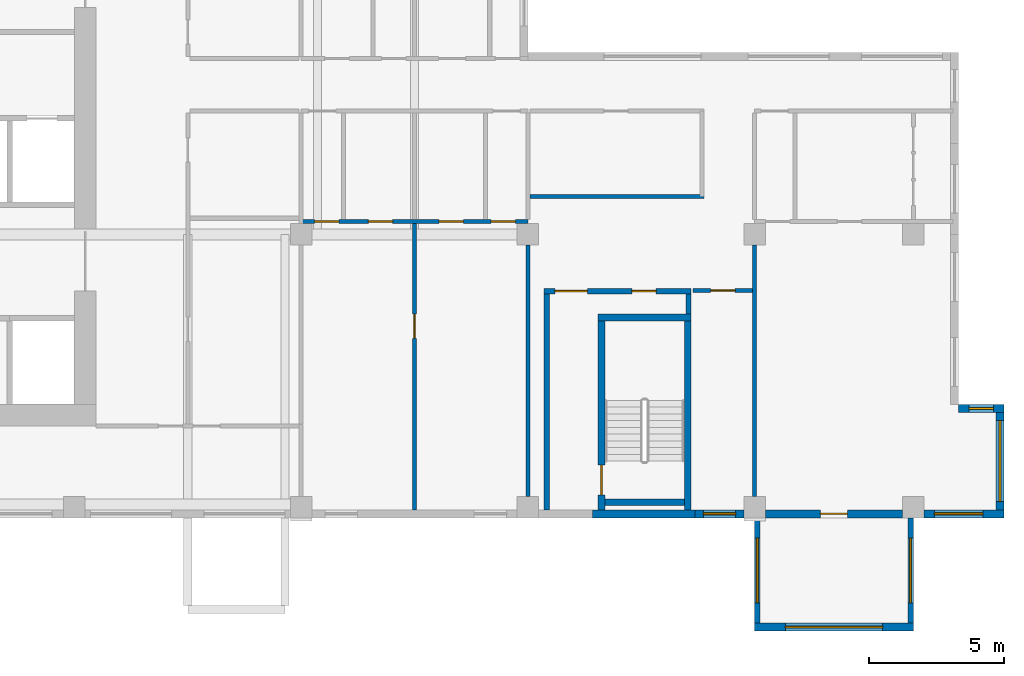
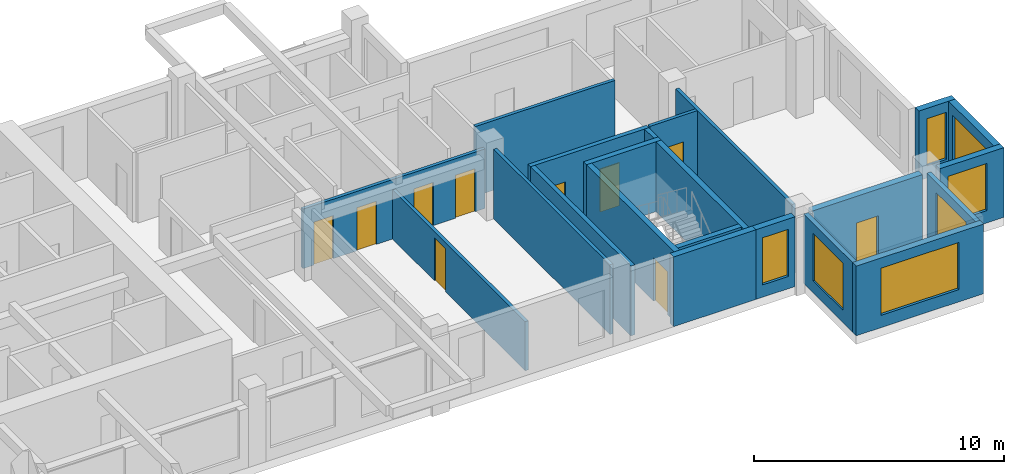
# One storey, part 4 of 11: 22 walls, 10 doors, 7 windows, 17 openings.
"""IFC4 building model written with IfcOpenShell, lengths in metres."""

from ifc_helpers import new_model, si_unit, direction, frame, frame_2d, origin, place, context, subcontext, project, spatial, rectangle, extrude, source, transform, mapped, material, layer, layer_set, type_object, element, fill, save


model = new_model("IFC4")

# Units and contexts
model_context = context("Model", 3, precision=1e-05, world=origin(), true_north=direction((0.0, 1.0)))
body_context = subcontext(model_context, "Body", "Model", "MODEL_VIEW")
ifc_project = project(units=[si_unit("LENGTHUNIT", "METRE"), si_unit("AREAUNIT", "SQUARE_METRE"), si_unit("VOLUMEUNIT", "CUBIC_METRE"), si_unit("PLANEANGLEUNIT", "RADIAN"), si_unit("MASSUNIT", "GRAM", prefix="KILO")], contexts=[model_context])

# Site, building, storey
site_placement = place(None, origin())
site = spatial("IfcSite", under=ifc_project, at=site_placement, CompositionType="ELEMENT")
building_placement = place(site_placement, origin())
building = spatial("IfcBuilding", under=site, at=building_placement, Name="Aurelian Terraces", CompositionType="ELEMENT")
storey_placement = place(building_placement, frame((0.0, 0.0, 227.2)))
storey = spatial("IfcBuildingStorey", under=building, at=storey_placement, Name="L51", CompositionType="ELEMENT", Elevation=227.2)

# Wall, opening, window
ifc_material_1 = material(Name="Terracotta rainscreen cladding", Category="masonry")
ifc_layer_1 = layer(ifc_material_1, 0.3)
ifc_layer_set_1 = layer_set([ifc_layer_1], Name="EW-300")
wall_type_1 = type_object("IfcWallType", Name="EW-300", PredefinedType="STANDARD", material=ifc_layer_set_1)
wall_1_placement = place(storey_placement, frame((44.0, 0.15, 0.0), z_axis=(0.0, 0.0, 1.0), x_axis=(1.0, 0.0, 0.0)))
wall_1 = element("IfcWall", 1, at=wall_1_placement, inside=storey, type_object=wall_type_1, Name="External wall L51 F01.5", PredefinedType="STANDARD", context=body_context, shape_type="SweptSolid", body=[
    extrude(rectangle(XDim=1.8, YDim=0.3, at=frame_2d((0.9, 0.0))), origin(), (0.0, 0.0, 1.0), 3.4),
])
shared_shape_1 = source(origin(), body_context, "Body", "SweptSolid", [
    extrude(rectangle(XDim=1.2, YDim=2.3, at=frame_2d((0.6, 1.15))), frame((0.0, 0.16, 0.0), z_axis=(0.0, -1.0, 0.0), x_axis=(1.0, 0.0, 0.0)), (0.0, 0.0, 1.0), 0.32),
])
opening_1_placement = place(wall_1_placement, frame((0.3, 0.0, 0.6)))
opening_1 = element("IfcOpeningElement", 2, at=opening_1_placement, cuts=wall_1, Name="Opening W1223", PredefinedType="OPENING", context=body_context, shape_type="MappedRepresentation", body=[
    mapped(shared_shape_1, transform((0.0, 0.0, 0.0), scale=1.0)),
])
ifc_material_2 = material(Name="Clear glazing", Category="glass")
window_type_1 = type_object("IfcWindowType", Name="W-1200x2300", PartitioningType="SINGLE_PANEL", PredefinedType="WINDOW", material=ifc_material_2)
shared_shape_2 = source(origin(), body_context, "Body", "SweptSolid", [
    extrude(rectangle(XDim=1.2, YDim=2.3, at=frame_2d((0.6, 1.15))), frame((0.0, 0.03, 0.0), z_axis=(0.0, -1.0, 0.0), x_axis=(1.0, 0.0, 0.0)), (0.0, 0.0, 1.0), 0.06),
])
window_1_placement = place(opening_1_placement, origin())
window_1 = element("IfcWindow", 3, at=window_1_placement, inside=storey, type_object=window_type_1, Name="Window L51 L51-F01-05-P2", OverallHeight=2.3, OverallWidth=1.2, PartitioningType="SINGLE_PANEL", PredefinedType="WINDOW", context=body_context, shape_type="MappedRepresentation", body=[
    mapped(shared_shape_2, transform((0.0, 0.0, 0.0), scale=1.0)),
])
fill(opening_1, window_1)

# Wall, opening, door
wall_2_placement = place(storey_placement, frame((46.6, 0.15, 0.0), z_axis=(0.0, 0.0, 1.0), x_axis=(1.0, 0.0, 0.0)))
wall_2 = element("IfcWall", 4, at=wall_2_placement, inside=storey, type_object=wall_type_1, Name="External wall L51 F01.6", PredefinedType="STANDARD", context=body_context, shape_type="SweptSolid", body=[
    extrude(rectangle(XDim=5.08, YDim=0.3, at=frame_2d((2.54, 0.0))), origin(), (0.0, 0.0, 1.0), 3.4),
])
shared_shape_3 = source(origin(), body_context, "Body", "SweptSolid", [
    extrude(rectangle(XDim=1.0, YDim=2.1, at=frame_2d((0.5, 1.05))), frame((0.0, 0.16, 0.0), z_axis=(0.0, -1.0, 0.0), x_axis=(1.0, 0.0, 0.0)), (0.0, 0.0, 1.0), 0.32),
])
opening_2_placement = place(wall_2_placement, frame((2.04, 0.0, 0.0)))
opening_2 = element("IfcOpeningElement", 5, at=opening_2_placement, cuts=wall_2, Name="Opening 851001", PredefinedType="OPENING", context=body_context, shape_type="MappedRepresentation", body=[
    mapped(shared_shape_3, transform((0.0, 0.0, 0.0), scale=1.0)),
])
ifc_material_3 = material(Name="Timber door leaf", Category="wood")
door_type_1 = type_object("IfcDoorType", Name="Room door 1000x2100 left", OperationType="SINGLE_SWING_LEFT", PredefinedType="DOOR", material=ifc_material_3)
shared_shape_4 = source(origin(), body_context, "Body", "SweptSolid", [
    extrude(rectangle(XDim=1.0, YDim=2.1, at=frame_2d((0.5, 1.05))), frame((0.0, 0.025, 0.0), z_axis=(0.0, -1.0, 0.0), x_axis=(1.0, 0.0, 0.0)), (0.0, 0.0, 1.0), 0.05),
])
door_1_placement = place(opening_2_placement, origin())
door_1 = element("IfcDoor", 6, at=door_1_placement, inside=storey, type_object=door_type_1, Name="Door 851001", OperationType="SINGLE_SWING_LEFT", OverallHeight=2.1, OverallWidth=1.0, PredefinedType="DOOR", context=body_context, shape_type="MappedRepresentation", body=[
    mapped(shared_shape_4, transform((0.0, 0.0, 0.0), scale=1.0)),
])
fill(opening_2, door_1)

# Wall, opening, window
wall_3_placement = place(storey_placement, frame((52.48, 0.15, 0.0), z_axis=(0.0, 0.0, 1.0), x_axis=(1.0, 0.0, 0.0)))
wall_3 = element("IfcWall", 7, at=wall_3_placement, inside=storey, type_object=wall_type_1, Name="External wall L51 F01.7", PredefinedType="STANDARD", context=body_context, shape_type="SweptSolid", body=[
    extrude(rectangle(XDim=2.96, YDim=0.3, at=frame_2d((1.48, 0.0))), origin(), (0.0, 0.0, 1.0), 3.4),
])
shared_shape_5 = source(origin(), body_context, "Body", "SweptSolid", [
    extrude(rectangle(XDim=1.8, YDim=2.3, at=frame_2d((0.9, 1.15))), frame((0.0, 0.16, 0.0), z_axis=(0.0, -1.0, 0.0), x_axis=(1.0, 0.0, 0.0)), (0.0, 0.0, 1.0), 0.32),
])
opening_3_placement = place(wall_3_placement, frame((0.38, 0.0, 0.6)))
opening_3 = element("IfcOpeningElement", 8, at=opening_3_placement, cuts=wall_3, Name="Opening W1823", PredefinedType="OPENING", context=body_context, shape_type="MappedRepresentation", body=[
    mapped(shared_shape_5, transform((0.0, 0.0, 0.0), scale=1.0)),
])
window_type_2 = type_object("IfcWindowType", Name="W-1800x2300", PartitioningType="SINGLE_PANEL", PredefinedType="WINDOW", material=ifc_material_2)
shared_shape_6 = source(origin(), body_context, "Body", "SweptSolid", [
    extrude(rectangle(XDim=1.8, YDim=2.3, at=frame_2d((0.9, 1.15))), frame((0.0, 0.03, 0.0), z_axis=(0.0, -1.0, 0.0), x_axis=(1.0, 0.0, 0.0)), (0.0, 0.0, 1.0), 0.06),
])
window_2_placement = place(opening_3_placement, origin())
window_2 = element("IfcWindow", 9, at=window_2_placement, inside=storey, type_object=window_type_2, Name="Window L51 L51-F01-07-0", OverallHeight=2.3, OverallWidth=1.8, PartitioningType="SINGLE_PANEL", PredefinedType="WINDOW", context=body_context, shape_type="MappedRepresentation", body=[
    mapped(shared_shape_6, transform((0.0, 0.0, 0.0), scale=1.0)),
])
fill(opening_3, window_2)

# Wall
ifc_material_4 = material(Name="Gypsum board on steel studs", Category="steel")
ifc_layer_2 = layer(ifc_material_4, 0.15)
ifc_layer_set_2 = layer_set([ifc_layer_2], Name="Fire partition 150")
wall_type_2 = type_object("IfcWallType", Name="Fire partition 150", PredefinedType="PARTITIONING", material=ifc_layer_set_2)
wall_4_placement = place(storey_placement, frame((37.8, 0.799, 0.0), z_axis=(0.0, 0.0, 1.0), x_axis=(0.0, 1.0, 0.0)))
element("IfcWall", 10, at=wall_4_placement, inside=storey, type_object=wall_type_2, Name="Party wall", PredefinedType="PARTITIONING", context=body_context, shape_type="SweptSolid", body=[
    extrude(rectangle(XDim=9.302, YDim=0.15, at=frame_2d((4.651, 0.0))), origin(), (0.0, 0.0, 1.0), 3.4),
])

# Wall, opening, door
ifc_layer_3 = layer(ifc_material_4, 0.15)
ifc_layer_set_3 = layer_set([ifc_layer_3], Name="Partition 150")
wall_type_3 = type_object("IfcWallType", Name="Partition 150", PredefinedType="PARTITIONING", material=ifc_layer_set_3)
wall_5_placement = place(storey_placement, frame((33.6, 0.3, 0.0), z_axis=(0.0, 0.0, 1.0), x_axis=(0.0, 1.0, 0.0)))
wall_5 = element("IfcWall", 11, at=wall_5_placement, inside=storey, type_object=wall_type_3, Name="Partition", PredefinedType="PARTITIONING", context=body_context, shape_type="SweptSolid", body=[
    extrude(rectangle(XDim=10.6, YDim=0.15, at=frame_2d((5.3, 0.0))), origin(), (0.0, 0.0, 1.0), 2.4),
])
shared_shape_7 = source(origin(), body_context, "Body", "SweptSolid", [
    extrude(rectangle(XDim=0.9, YDim=2.1, at=frame_2d((0.45, 1.05))), frame((0.0, 0.085, 0.0), z_axis=(0.0, -1.0, 0.0), x_axis=(1.0, 0.0, 0.0)), (0.0, 0.0, 1.0), 0.17),
])
opening_4_placement = place(wall_5_placement, frame((6.35, 0.0, 0.0)))
opening_4 = element("IfcOpeningElement", 12, at=opening_4_placement, cuts=wall_5, Name="Opening 751013", PredefinedType="OPENING", context=body_context, shape_type="MappedRepresentation", body=[
    mapped(shared_shape_7, transform((0.0, 0.0, 0.0), scale=1.0)),
])
door_type_2 = type_object("IfcDoorType", Name="Room door 900x2100 right", OperationType="SINGLE_SWING_RIGHT", PredefinedType="DOOR", material=ifc_material_3)
shared_shape_8 = source(origin(), body_context, "Body", "SweptSolid", [
    extrude(rectangle(XDim=0.9, YDim=2.1, at=frame_2d((0.45, 1.05))), frame((0.0, 0.025, 0.0), z_axis=(0.0, -1.0, 0.0), x_axis=(1.0, 0.0, 0.0)), (0.0, 0.0, 1.0), 0.05),
])
door_2_placement = place(opening_4_placement, origin())
door_2 = element("IfcDoor", 13, at=door_2_placement, inside=storey, type_object=door_type_2, Name="Door 751013", OperationType="SINGLE_SWING_RIGHT", OverallHeight=2.1, OverallWidth=0.9, PredefinedType="DOOR", context=body_context, shape_type="MappedRepresentation", body=[
    mapped(shared_shape_8, transform((0.0, 0.0, 0.0), scale=1.0)),
])
fill(opening_4, door_2)

# Wall, opening, window
shared_shape_9 = source(origin(), body_context, "Body", "SweptSolid", [
    extrude(rectangle(XDim=4.2, YDim=0.3, at=frame_2d((2.1, 0.0))), origin(), (0.0, 0.0, 1.0), 3.4),
])
wall_6_placement = place(storey_placement, frame((55.29, 0.0, 0.0), z_axis=(0.0, 0.0, 1.0), x_axis=(0.0, 1.0, 0.0)))
wall_6 = element("IfcWall", 14, at=wall_6_placement, inside=storey, type_object=wall_type_1, Name="External wall L51 F02.8", PredefinedType="STANDARD", context=body_context, shape_type="MappedRepresentation", body=[
    mapped(shared_shape_9, transform((0.0, 0.0, 0.0), scale=1.0)),
])
shared_shape_10 = source(origin(), body_context, "Body", "SweptSolid", [
    extrude(rectangle(XDim=3.0, YDim=2.3, at=frame_2d((1.5, 1.15))), frame((0.0, 0.16, 0.0), z_axis=(0.0, -1.0, 0.0), x_axis=(1.0, 0.0, 0.0)), (0.0, 0.0, 1.0), 0.32),
])
opening_5_placement = place(wall_6_placement, frame((0.6, 0.0, 0.6)))
opening_5 = element("IfcOpeningElement", 15, at=opening_5_placement, cuts=wall_6, Name="Opening W3023", PredefinedType="OPENING", context=body_context, shape_type="MappedRepresentation", body=[
    mapped(shared_shape_10, transform((0.0, 0.0, 0.0), scale=1.0)),
])
window_type_3 = type_object("IfcWindowType", Name="W-3000x2300", PartitioningType="SINGLE_PANEL", PredefinedType="WINDOW", material=ifc_material_2)
shared_shape_11 = source(origin(), body_context, "Body", "SweptSolid", [
    extrude(rectangle(XDim=3.0, YDim=2.3, at=frame_2d((1.5, 1.15))), frame((0.0, 0.03, 0.0), z_axis=(0.0, -1.0, 0.0), x_axis=(1.0, 0.0, 0.0)), (0.0, 0.0, 1.0), 0.06),
])
window_3_placement = place(opening_5_placement, origin())
window_3 = element("IfcWindow", 16, at=window_3_placement, inside=storey, type_object=window_type_3, Name="Window L51 L51-F02-08-0", OverallHeight=2.3, OverallWidth=3.0, PartitioningType="SINGLE_PANEL", PredefinedType="WINDOW", context=body_context, shape_type="MappedRepresentation", body=[
    mapped(shared_shape_11, transform((0.0, 0.0, 0.0), scale=1.0)),
])
fill(opening_5, window_3)

shared_shape_12 = source(origin(), body_context, "Body", "SweptSolid", [
    extrude(rectangle(XDim=1.68, YDim=0.3, at=frame_2d((0.84, 0.0))), origin(), (0.0, 0.0, 1.0), 3.4),
])
wall_7_placement = place(storey_placement, frame((55.44, 4.05, 0.0), z_axis=(0.0, 0.0, 1.0), x_axis=(-1.0, 0.0, 0.0)))
wall_7 = element("IfcWall", 17, at=wall_7_placement, inside=storey, type_object=wall_type_1, Name="External wall L51 F03.9", PredefinedType="STANDARD", context=body_context, shape_type="MappedRepresentation", body=[
    mapped(shared_shape_12, transform((0.0, 0.0, 0.0), scale=1.0)),
])
shared_shape_13 = source(origin(), body_context, "Body", "SweptSolid", [
    extrude(rectangle(XDim=0.9, YDim=2.3, at=frame_2d((0.45, 1.15))), frame((0.0, 0.16, 0.0), z_axis=(0.0, -1.0, 0.0), x_axis=(1.0, 0.0, 0.0)), (0.0, 0.0, 1.0), 0.32),
])
opening_6_placement = place(wall_7_placement, frame((0.39, 0.0, 0.6)))
opening_6 = element("IfcOpeningElement", 18, at=opening_6_placement, cuts=wall_7, Name="Opening W0923", PredefinedType="OPENING", context=body_context, shape_type="MappedRepresentation", body=[
    mapped(shared_shape_13, transform((0.0, 0.0, 0.0), scale=1.0)),
])
window_type_4 = type_object("IfcWindowType", Name="W-900x2300", PartitioningType="SINGLE_PANEL", PredefinedType="WINDOW", material=ifc_material_2)
shared_shape_14 = source(origin(), body_context, "Body", "SweptSolid", [
    extrude(rectangle(XDim=0.9, YDim=2.3, at=frame_2d((0.45, 1.15))), frame((0.0, 0.03, 0.0), z_axis=(0.0, -1.0, 0.0), x_axis=(1.0, 0.0, 0.0)), (0.0, 0.0, 1.0), 0.06),
])
window_4_placement = place(opening_6_placement, origin())
window_4 = element("IfcWindow", 19, at=window_4_placement, inside=storey, type_object=window_type_4, Name="Window L51 L51-F03-09-P0", OverallHeight=2.3, OverallWidth=0.9, PartitioningType="SINGLE_PANEL", PredefinedType="WINDOW", context=body_context, shape_type="MappedRepresentation", body=[
    mapped(shared_shape_14, transform((0.0, 0.0, 0.0), scale=1.0)),
])
fill(opening_6, window_4)

ifc_material_5 = material(Name="Concrete fc' 40 MPa", Category="concrete")
ifc_layer_4 = layer(ifc_material_5, 0.2)
ifc_layer_set_4 = layer_set([ifc_layer_4], Name="BOX BEARING WALL 200")
wall_type_4 = type_object("IfcWallType", Name="BOX BEARING WALL 200", PredefinedType="SOLIDWALL", material=ifc_layer_set_4)
shared_shape_15 = source(origin(), body_context, "Body", "SweptSolid", [
    extrude(rectangle(XDim=3.9, YDim=0.2, at=frame_2d((1.95, 0.0))), origin(), (0.0, 0.0, 1.0), 3.4),
])
wall_8_placement = place(storey_placement, frame((46.3, 0.0, 0.0), z_axis=(0.0, 0.0, 1.0), x_axis=(0.0, -1.0, 0.0)))
wall_8 = element("IfcWall", 20, at=wall_8_placement, inside=storey, type_object=wall_type_4, Name="Box return L51 J74.1", PredefinedType="SOLIDWALL", context=body_context, shape_type="MappedRepresentation", body=[
    mapped(shared_shape_15, transform((0.0, 0.0, 0.0), scale=1.0)),
])
shared_shape_16 = source(origin(), body_context, "Body", "SweptSolid", [
    extrude(rectangle(XDim=2.4, YDim=2.3, at=frame_2d((1.2, 1.15))), frame((0.0, 0.11, 0.0), z_axis=(0.0, -1.0, 0.0), x_axis=(1.0, 0.0, 0.0)), (0.0, 0.0, 1.0), 0.22),
])
opening_7_placement = place(wall_8_placement, frame((0.75, 0.0, 0.6)))
opening_7 = element("IfcOpeningElement", 21, at=opening_7_placement, cuts=wall_8, Name="Opening W2423", PredefinedType="OPENING", context=body_context, shape_type="MappedRepresentation", body=[
    mapped(shared_shape_16, transform((0.0, 0.0, 0.0), scale=1.0)),
])
window_type_5 = type_object("IfcWindowType", Name="W-2400x2300", PartitioningType="SINGLE_PANEL", PredefinedType="WINDOW", material=ifc_material_2)
shared_shape_17 = source(origin(), body_context, "Body", "SweptSolid", [
    extrude(rectangle(XDim=2.4, YDim=2.3, at=frame_2d((1.2, 1.15))), frame((0.0, 0.03, 0.0), z_axis=(0.0, -1.0, 0.0), x_axis=(1.0, 0.0, 0.0)), (0.0, 0.0, 1.0), 0.06),
])
window_5_placement = place(opening_7_placement, origin())
window_5 = element("IfcWindow", 22, at=window_5_placement, inside=storey, type_object=window_type_5, Name="Window L51 J74-S1", OverallHeight=2.3, OverallWidth=2.4, PartitioningType="SINGLE_PANEL", PredefinedType="WINDOW", context=body_context, shape_type="MappedRepresentation", body=[
    mapped(shared_shape_17, transform((0.0, 0.0, 0.0), scale=1.0)),
])
fill(opening_7, window_5)

wall_9_placement = place(storey_placement, frame((51.98, 0.0, 0.0), z_axis=(0.0, 0.0, 1.0), x_axis=(0.0, -1.0, 0.0)))
wall_9 = element("IfcWall", 23, at=wall_9_placement, inside=storey, type_object=wall_type_4, Name="Box return L51 J74.2", PredefinedType="SOLIDWALL", context=body_context, shape_type="MappedRepresentation", body=[
    mapped(shared_shape_15, transform((0.0, 0.0, 0.0), scale=1.0)),
])
opening_8_placement = place(wall_9_placement, frame((0.75, 0.0, 0.6)))
opening_8 = element("IfcOpeningElement", 24, at=opening_8_placement, cuts=wall_9, Name="Opening W2423", PredefinedType="OPENING", context=body_context, shape_type="MappedRepresentation", body=[
    mapped(shared_shape_16, transform((0.0, 0.0, 0.0), scale=1.0)),
])
window_6_placement = place(opening_8_placement, origin())
window_6 = element("IfcWindow", 25, at=window_6_placement, inside=storey, type_object=window_type_5, Name="Window L51 J74-S2", OverallHeight=2.3, OverallWidth=2.4, PartitioningType="SINGLE_PANEL", PredefinedType="WINDOW", context=body_context, shape_type="MappedRepresentation", body=[
    mapped(shared_shape_17, transform((0.0, 0.0, 0.0), scale=1.0)),
])
fill(opening_8, window_6)

# Wall
ifc_layer_5 = layer(ifc_material_5, 0.3)
ifc_layer_set_5 = layer_set([ifc_layer_5], Name="STAIR BAY WALL 300")
wall_type_5 = type_object("IfcWallType", Name="STAIR BAY WALL 300", PredefinedType="SOLIDWALL", material=ifc_layer_set_5)
shared_shape_18 = source(origin(), body_context, "Body", "SweptSolid", [
    extrude(rectangle(XDim=3.8, YDim=0.3, at=frame_2d((1.9, 0.0))), origin(), (0.0, 0.0, 1.0), 3.4),
])
wall_10_placement = place(storey_placement, frame((40.2, 0.15, 0.0), z_axis=(0.0, 0.0, 1.0), x_axis=(1.0, 0.0, 0.0)))
element("IfcWall", 26, at=wall_10_placement, inside=storey, type_object=wall_type_5, Name="Stair bay wall L51 F01.5", PredefinedType="SOLIDWALL", context=body_context, shape_type="MappedRepresentation", body=[
    mapped(shared_shape_18, transform((0.0, 0.0, 0.0), scale=1.0)),
])

# Wall, opening, window
ifc_layer_6 = layer(ifc_material_5, 0.3)
ifc_layer_set_6 = layer_set([ifc_layer_6], Name="BOX BEARING WALL 300")
wall_type_6 = type_object("IfcWallType", Name="BOX BEARING WALL 300", PredefinedType="SOLIDWALL", material=ifc_layer_set_6)
shared_shape_19 = source(origin(), body_context, "Body", "SweptSolid", [
    extrude(rectangle(XDim=5.88, YDim=0.3, at=frame_2d((2.94, 0.0))), origin(), (0.0, 0.0, 1.0), 3.4),
])
wall_11_placement = place(storey_placement, frame((46.2, -4.05, 0.0), z_axis=(0.0, 0.0, 1.0), x_axis=(1.0, 0.0, 0.0)))
wall_11 = element("IfcWall", 27, at=wall_11_placement, inside=storey, type_object=wall_type_6, Name="Box wall L51 J74", PredefinedType="SOLIDWALL", context=body_context, shape_type="MappedRepresentation", body=[
    mapped(shared_shape_19, transform((0.0, 0.0, 0.0), scale=1.0)),
])
shared_shape_20 = source(origin(), body_context, "Body", "SweptSolid", [
    extrude(rectangle(XDim=3.6, YDim=2.3, at=frame_2d((1.8, 1.15))), frame((0.0, 0.16, 0.0), z_axis=(0.0, -1.0, 0.0), x_axis=(1.0, 0.0, 0.0)), (0.0, 0.0, 1.0), 0.32),
])
opening_9_placement = place(wall_11_placement, frame((1.14, 0.0, 0.6)))
opening_9 = element("IfcOpeningElement", 28, at=opening_9_placement, cuts=wall_11, Name="Opening W3623", PredefinedType="OPENING", context=body_context, shape_type="MappedRepresentation", body=[
    mapped(shared_shape_20, transform((0.0, 0.0, 0.0), scale=1.0)),
])
window_type_6 = type_object("IfcWindowType", Name="W-3600x2300", PartitioningType="SINGLE_PANEL", PredefinedType="WINDOW", material=ifc_material_2)
shared_shape_21 = source(origin(), body_context, "Body", "SweptSolid", [
    extrude(rectangle(XDim=3.6, YDim=2.3, at=frame_2d((1.8, 1.15))), frame((0.0, 0.03, 0.0), z_axis=(0.0, -1.0, 0.0), x_axis=(1.0, 0.0, 0.0)), (0.0, 0.0, 1.0), 0.06),
])
window_7_placement = place(opening_9_placement, origin())
window_7 = element("IfcWindow", 29, at=window_7_placement, inside=storey, type_object=window_type_6, Name="Window L51 J74-F1", OverallHeight=2.3, OverallWidth=3.6, PartitioningType="SINGLE_PANEL", PredefinedType="WINDOW", context=body_context, shape_type="MappedRepresentation", body=[
    mapped(shared_shape_21, transform((0.0, 0.0, 0.0), scale=1.0)),
])
fill(opening_9, window_7)

# Wall, opening, door
ifc_layer_7 = layer(ifc_material_5, 0.25)
ifc_layer_set_7 = layer_set([ifc_layer_7], Name="Stair enclosure wall 250")
wall_type_7 = type_object("IfcWallType", Name="Stair enclosure wall 250", PredefinedType="SOLIDWALL", material=ifc_layer_set_7)
shared_shape_22 = source(origin(), body_context, "Body", "SweptSolid", [
    extrude(rectangle(XDim=7.0, YDim=0.25, at=frame_2d((3.5, 0.0))), origin(), (0.0, 0.0, 1.0), 3.4),
])
wall_12_placement = place(storey_placement, frame((40.525, 0.3, 0.0), z_axis=(0.0, 0.0, 1.0), x_axis=(0.0, 1.0, 0.0)))
wall_12 = element("IfcWall", 30, at=wall_12_placement, inside=storey, type_object=wall_type_7, Name="L51 core wall ST-S2-W", PredefinedType="SOLIDWALL", context=body_context, shape_type="MappedRepresentation", body=[
    mapped(shared_shape_22, transform((0.0, 0.0, 0.0), scale=1.0)),
])
shared_shape_23 = source(origin(), body_context, "Body", "SweptSolid", [
    extrude(rectangle(XDim=1.1, YDim=2.1, at=frame_2d((0.55, 1.05))), frame((0.0, 0.135, 0.0), z_axis=(0.0, -1.0, 0.0), x_axis=(1.0, 0.0, 0.0)), (0.0, 0.0, 1.0), 0.27),
])
opening_10_placement = place(wall_12_placement, frame((0.55, 0.0, 0.0)))
opening_10 = element("IfcOpeningElement", 31, at=opening_10_placement, cuts=wall_12, Name="Opening 65415", PredefinedType="OPENING", context=body_context, shape_type="MappedRepresentation", body=[
    mapped(shared_shape_23, transform((0.0, 0.0, 0.0), scale=1.0)),
])
ifc_material_6 = material(Name="Steel door leaf", Category="steel")
door_type_3 = type_object("IfcDoorType", Name="Core fire door 1100x2100 right", OperationType="SINGLE_SWING_RIGHT", PredefinedType="DOOR", material=ifc_material_6)
shared_shape_24 = source(origin(), body_context, "Body", "SweptSolid", [
    extrude(rectangle(XDim=1.1, YDim=2.1, at=frame_2d((0.55, 1.05))), frame((0.0, 0.025, 0.0), z_axis=(0.0, -1.0, 0.0), x_axis=(1.0, 0.0, 0.0)), (0.0, 0.0, 1.0), 0.05),
])
door_3_placement = place(opening_10_placement, origin())
door_3 = element("IfcDoor", 32, at=door_3_placement, inside=storey, type_object=door_type_3, Name="Stair door 65415", OperationType="SINGLE_SWING_RIGHT", OverallHeight=2.1, OverallWidth=1.1, PredefinedType="DOOR", context=body_context, shape_type="MappedRepresentation", body=[
    mapped(shared_shape_24, transform((0.0, 0.0, 0.0), scale=1.0)),
])
fill(opening_10, door_3)

# Walls
wall_13_placement = place(storey_placement, frame((43.725, 0.3, 0.0), z_axis=(0.0, 0.0, 1.0), x_axis=(0.0, 1.0, 0.0)))
element("IfcWall", 33, at=wall_13_placement, inside=storey, type_object=wall_type_7, Name="L51 core wall ST-S2-E", PredefinedType="SOLIDWALL", context=body_context, shape_type="MappedRepresentation", body=[
    mapped(shared_shape_22, transform((0.0, 0.0, 0.0), scale=1.0)),
])
shared_shape_25 = source(origin(), body_context, "Body", "SweptSolid", [
    extrude(rectangle(XDim=3.45, YDim=0.25, at=frame_2d((1.725, 0.0))), origin(), (0.0, 0.0, 1.0), 3.4),
])
wall_14_placement = place(storey_placement, frame((40.4, 7.425, 0.0), z_axis=(0.0, 0.0, 1.0), x_axis=(1.0, 0.0, 0.0)))
element("IfcWall", 34, at=wall_14_placement, inside=storey, type_object=wall_type_7, Name="L51 core wall ST-S2-N", PredefinedType="SOLIDWALL", context=body_context, shape_type="MappedRepresentation", body=[
    mapped(shared_shape_25, transform((0.0, 0.0, 0.0), scale=1.0)),
])
shared_shape_26 = source(origin(), body_context, "Body", "SweptSolid", [
    extrude(rectangle(XDim=2.95, YDim=0.25, at=frame_2d((1.475, 0.0))), origin(), (0.0, 0.0, 1.0), 3.4),
])
wall_15_placement = place(storey_placement, frame((40.65, 0.575, 0.0), z_axis=(0.0, 0.0, 1.0), x_axis=(1.0, 0.0, 0.0)))
element("IfcWall", 35, at=wall_15_placement, inside=storey, type_object=wall_type_7, Name="L51 core wall ST-S2-SS", PredefinedType="SOLIDWALL", context=body_context, shape_type="MappedRepresentation", body=[
    mapped(shared_shape_26, transform((0.0, 0.0, 0.0), scale=1.0)),
])

# Wall, openings, doors
ifc_layer_8 = layer(ifc_material_4, 0.2)
ifc_layer_set_8 = layer_set([ifc_layer_8], Name="Core partition 200")
wall_type_8 = type_object("IfcWallType", Name="Core partition 200", PredefinedType="PARTITIONING", material=ifc_layer_set_8)
shared_shape_27 = source(origin(), body_context, "Body", "SweptSolid", [
    extrude(rectangle(XDim=5.45, YDim=0.2, at=frame_2d((2.725, 0.0))), origin(), (0.0, 0.0, 1.0), 3.4),
])
wall_16_placement = place(storey_placement, frame((38.4, 8.4, 0.0), z_axis=(0.0, 0.0, 1.0), x_axis=(1.0, 0.0, 0.0)))
wall_16 = element("IfcWall", 36, at=wall_16_placement, inside=storey, type_object=wall_type_8, Name="L51 core wall ST-S2-BN", PredefinedType="PARTITIONING", context=body_context, shape_type="MappedRepresentation", body=[
    mapped(shared_shape_27, transform((0.0, 0.0, 0.0), scale=1.0)),
])
shared_shape_28 = source(origin(), body_context, "Body", "SweptSolid", [
    extrude(rectangle(XDim=1.2, YDim=2.1, at=frame_2d((0.6, 1.05))), frame((0.0, 0.11, 0.0), z_axis=(0.0, -1.0, 0.0), x_axis=(1.0, 0.0, 0.0)), (0.0, 0.0, 1.0), 0.22),
])
opening_11_placement = place(wall_16_placement, frame((0.4, 0.0, 0.0)))
opening_11 = element("IfcOpeningElement", 37, at=opening_11_placement, cuts=wall_16, Name="Opening 65416", PredefinedType="OPENING", context=body_context, shape_type="MappedRepresentation", body=[
    mapped(shared_shape_28, transform((0.0, 0.0, 0.0), scale=1.0)),
])
shared_shape_29 = source(origin(), body_context, "Body", "SweptSolid", [
    extrude(rectangle(XDim=0.9, YDim=2.1, at=frame_2d((0.45, 1.05))), frame((0.0, 0.11, 0.0), z_axis=(0.0, -1.0, 0.0), x_axis=(1.0, 0.0, 0.0)), (0.0, 0.0, 1.0), 0.22),
])
opening_12_placement = place(wall_16_placement, frame((3.25, 0.0, 0.0)))
opening_12 = element("IfcOpeningElement", 38, at=opening_12_placement, cuts=wall_16, Name="Opening 65417", PredefinedType="OPENING", context=body_context, shape_type="MappedRepresentation", body=[
    mapped(shared_shape_29, transform((0.0, 0.0, 0.0), scale=1.0)),
])
door_type_4 = type_object("IfcDoorType", Name="Core riser door 900x2100 right", OperationType="SINGLE_SWING_RIGHT", PredefinedType="DOOR", material=ifc_material_6)
door_4_placement = place(opening_12_placement, origin())
door_4 = element("IfcDoor", 39, at=door_4_placement, inside=storey, type_object=door_type_4, Name="Riser door 65417", OperationType="SINGLE_SWING_RIGHT", OverallHeight=2.1, OverallWidth=0.9, PredefinedType="DOOR", context=body_context, shape_type="MappedRepresentation", body=[
    mapped(shared_shape_8, transform((0.0, 0.0, 0.0), scale=1.0)),
])
fill(opening_12, door_4)
door_type_5 = type_object("IfcDoorType", Name="Core fire door 1200x2100", OperationType="SINGLE_SWING_LEFT", PredefinedType="DOOR", material=ifc_material_6)
shared_shape_30 = source(origin(), body_context, "Body", "SweptSolid", [
    extrude(rectangle(XDim=1.2, YDim=2.1, at=frame_2d((0.6, 1.05))), frame((0.0, 0.025, 0.0), z_axis=(0.0, -1.0, 0.0), x_axis=(1.0, 0.0, 0.0)), (0.0, 0.0, 1.0), 0.05),
])
door_5_placement = place(opening_11_placement, origin())
door_5 = element("IfcDoor", 40, at=door_5_placement, inside=storey, type_object=door_type_5, Name="Vestibule door 65416", OperationType="SINGLE_SWING_LEFT", OverallHeight=2.1, OverallWidth=1.2, PredefinedType="DOOR", context=body_context, shape_type="MappedRepresentation", body=[
    mapped(shared_shape_30, transform((0.0, 0.0, 0.0), scale=1.0)),
])
fill(opening_11, door_5)

# Walls
shared_shape_31 = source(origin(), body_context, "Body", "SweptSolid", [
    extrude(rectangle(XDim=0.75, YDim=0.2, at=frame_2d((0.375, 0.0))), origin(), (0.0, 0.0, 1.0), 3.4),
])
wall_17_placement = place(storey_placement, frame((43.75, 7.55, 0.0), z_axis=(0.0, 0.0, 1.0), x_axis=(0.0, 1.0, 0.0)))
element("IfcWall", 41, at=wall_17_placement, inside=storey, type_object=wall_type_8, Name="L51 core wall ST-S2-RE", PredefinedType="PARTITIONING", context=body_context, shape_type="MappedRepresentation", body=[
    mapped(shared_shape_31, transform((0.0, 0.0, 0.0), scale=1.0)),
])
shared_shape_32 = source(origin(), body_context, "Body", "SweptSolid", [
    extrude(rectangle(XDim=8.0, YDim=0.2, at=frame_2d((4.0, 0.0))), origin(), (0.0, 0.0, 1.0), 3.4),
])
wall_18_placement = place(storey_placement, frame((38.5, 0.3, 0.0), z_axis=(0.0, 0.0, 1.0), x_axis=(0.0, 1.0, 0.0)))
element("IfcWall", 42, at=wall_18_placement, inside=storey, type_object=wall_type_8, Name="L51 core wall ST-S2-VW", PredefinedType="PARTITIONING", context=body_context, shape_type="MappedRepresentation", body=[
    mapped(shared_shape_32, transform((0.0, 0.0, 0.0), scale=1.0)),
])
shared_shape_33 = source(origin(), body_context, "Body", "SweptSolid", [
    extrude(rectangle(XDim=6.45, YDim=0.15, at=frame_2d((3.225, 0.0))), origin(), (0.0, 0.0, 1.0), 3.4),
])
wall_19_placement = place(storey_placement, frame((37.875, 11.9, 0.0), z_axis=(0.0, 0.0, 1.0), x_axis=(1.0, 0.0, 0.0)))
element("IfcWall", 43, at=wall_19_placement, inside=storey, type_object=wall_type_3, Name="Partition", PredefinedType="PARTITIONING", context=body_context, shape_type="MappedRepresentation", body=[
    mapped(shared_shape_33, transform((0.0, 0.0, 0.0), scale=1.0)),
])

# Wall, opening, door
shared_shape_34 = source(origin(), body_context, "Body", "SweptSolid", [
    extrude(rectangle(XDim=2.2, YDim=0.15, at=frame_2d((1.1, 0.0))), origin(), (0.0, 0.0, 1.0), 3.4),
])
wall_20_placement = place(storey_placement, frame((46.125, 8.425, 0.0), z_axis=(0.0, 0.0, 1.0), x_axis=(-1.0, 0.0, 0.0)))
wall_20 = element("IfcWall", 44, at=wall_20_placement, inside=storey, type_object=wall_type_3, Name="Partition", PredefinedType="PARTITIONING", context=body_context, shape_type="MappedRepresentation", body=[
    mapped(shared_shape_34, transform((0.0, 0.0, 0.0), scale=1.0)),
])
opening_13_placement = place(wall_20_placement, frame((0.65, 0.0, 0.0)))
opening_13 = element("IfcOpeningElement", 45, at=opening_13_placement, cuts=wall_20, Name="Opening 751006", PredefinedType="OPENING", context=body_context, shape_type="MappedRepresentation", body=[
    mapped(shared_shape_7, transform((0.0, 0.0, 0.0), scale=1.0)),
])
door_type_6 = type_object("IfcDoorType", Name="Room door 900x2100 left", OperationType="SINGLE_SWING_LEFT", PredefinedType="DOOR", material=ifc_material_3)
door_6_placement = place(opening_13_placement, origin())
door_6 = element("IfcDoor", 46, at=door_6_placement, inside=storey, type_object=door_type_6, Name="Door 751006", OperationType="SINGLE_SWING_LEFT", OverallHeight=2.1, OverallWidth=0.9, PredefinedType="DOOR", context=body_context, shape_type="MappedRepresentation", body=[
    mapped(shared_shape_8, transform((0.0, 0.0, 0.0), scale=1.0)),
])
fill(opening_13, door_6)

# Wall, openings, doors
shared_shape_35 = source(origin(), body_context, "Body", "SweptSolid", [
    extrude(rectangle(XDim=8.4, YDim=0.15, at=frame_2d((4.2, 0.0))), origin(), (0.0, 0.0, 1.0), 2.9),
])
wall_21_placement = place(storey_placement, frame((37.8, 10.975, 0.0), z_axis=(0.0, 0.0, 1.0), x_axis=(-1.0, 0.0, 0.0)))
wall_21 = element("IfcWall", 47, at=wall_21_placement, inside=storey, type_object=wall_type_3, Name="Partition", PredefinedType="PARTITIONING", context=body_context, shape_type="MappedRepresentation", body=[
    mapped(shared_shape_35, transform((0.0, 0.0, 0.0), scale=1.0)),
])
opening_14_placement = place(wall_21_placement, frame((7.0, 0.0, 0.0)))
opening_14 = element("IfcOpeningElement", 48, at=opening_14_placement, cuts=wall_21, Name="Opening 751008", PredefinedType="OPENING", context=body_context, shape_type="MappedRepresentation", body=[
    mapped(shared_shape_7, transform((0.0, 0.0, 0.0), scale=1.0)),
])
opening_15_placement = place(wall_21_placement, frame((5.0125, 0.0, 0.0)))
opening_15 = element("IfcOpeningElement", 49, at=opening_15_placement, cuts=wall_21, Name="Opening 751009", PredefinedType="OPENING", context=body_context, shape_type="MappedRepresentation", body=[
    mapped(shared_shape_7, transform((0.0, 0.0, 0.0), scale=1.0)),
])
opening_16_placement = place(wall_21_placement, frame((2.3875, 0.0, 0.0)))
opening_16 = element("IfcOpeningElement", 50, at=opening_16_placement, cuts=wall_21, Name="Opening 751010", PredefinedType="OPENING", context=body_context, shape_type="MappedRepresentation", body=[
    mapped(shared_shape_7, transform((0.0, 0.0, 0.0), scale=1.0)),
])
opening_17_placement = place(wall_21_placement, frame((0.46, 0.0, 0.0)))
opening_17 = element("IfcOpeningElement", 51, at=opening_17_placement, cuts=wall_21, Name="Opening 751012", PredefinedType="OPENING", context=body_context, shape_type="MappedRepresentation", body=[
    mapped(shared_shape_7, transform((0.0, 0.0, 0.0), scale=1.0)),
])
door_7_placement = place(opening_14_placement, origin())
door_7 = element("IfcDoor", 52, at=door_7_placement, inside=storey, type_object=door_type_6, Name="Door 751008", OperationType="SINGLE_SWING_LEFT", OverallHeight=2.1, OverallWidth=0.9, PredefinedType="DOOR", context=body_context, shape_type="MappedRepresentation", body=[
    mapped(shared_shape_8, transform((0.0, 0.0, 0.0), scale=1.0)),
])
fill(opening_14, door_7)
door_8_placement = place(opening_15_placement, origin())
door_8 = element("IfcDoor", 53, at=door_8_placement, inside=storey, type_object=door_type_2, Name="Door 751009", OperationType="SINGLE_SWING_RIGHT", OverallHeight=2.1, OverallWidth=0.9, PredefinedType="DOOR", context=body_context, shape_type="MappedRepresentation", body=[
    mapped(shared_shape_8, transform((0.0, 0.0, 0.0), scale=1.0)),
])
fill(opening_15, door_8)
door_9_placement = place(opening_16_placement, origin())
door_9 = element("IfcDoor", 54, at=door_9_placement, inside=storey, type_object=door_type_6, Name="Door 751010", OperationType="SINGLE_SWING_LEFT", OverallHeight=2.1, OverallWidth=0.9, PredefinedType="DOOR", context=body_context, shape_type="MappedRepresentation", body=[
    mapped(shared_shape_8, transform((0.0, 0.0, 0.0), scale=1.0)),
])
fill(opening_16, door_9)
door_10_placement = place(opening_17_placement, origin())
door_10 = element("IfcDoor", 55, at=door_10_placement, inside=storey, type_object=door_type_6, Name="Door 751012", OperationType="SINGLE_SWING_LEFT", OverallHeight=2.1, OverallWidth=0.9, PredefinedType="DOOR", context=body_context, shape_type="MappedRepresentation", body=[
    mapped(shared_shape_8, transform((0.0, 0.0, 0.0), scale=1.0)),
])
fill(opening_17, door_10)

# Wall
shared_shape_36 = source(origin(), body_context, "Body", "SweptSolid", [
    extrude(rectangle(XDim=9.302, YDim=0.15, at=frame_2d((4.651, 0.0))), origin(), (0.0, 0.0, 1.0), 3.4),
])
wall_22_placement = place(storey_placement, frame((46.2, 0.799, 0.0), z_axis=(0.0, 0.0, 1.0), x_axis=(0.0, 1.0, 0.0)))
element("IfcWall", 56, at=wall_22_placement, inside=storey, type_object=wall_type_2, Name="Party wall", PredefinedType="PARTITIONING", context=body_context, shape_type="MappedRepresentation", body=[
    mapped(shared_shape_36, transform((0.0, 0.0, 0.0), scale=1.0)),
])

save(model, "model.ifc")
